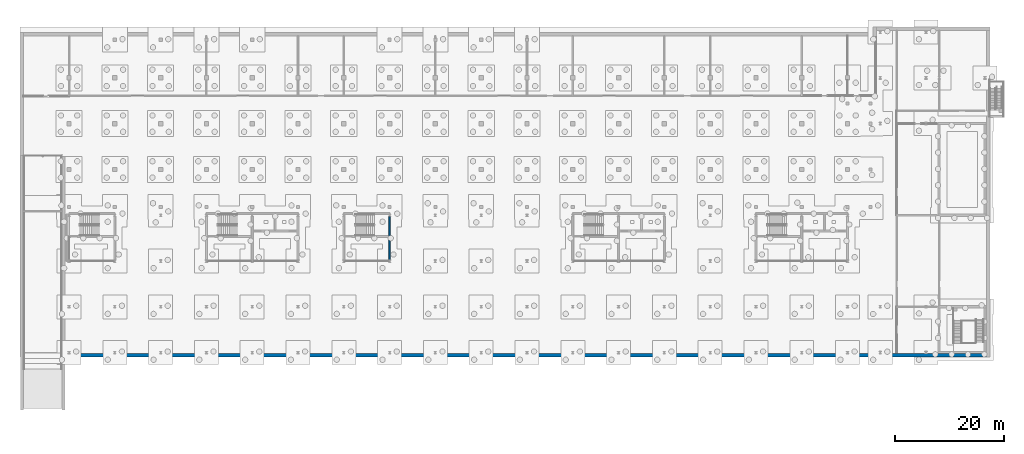
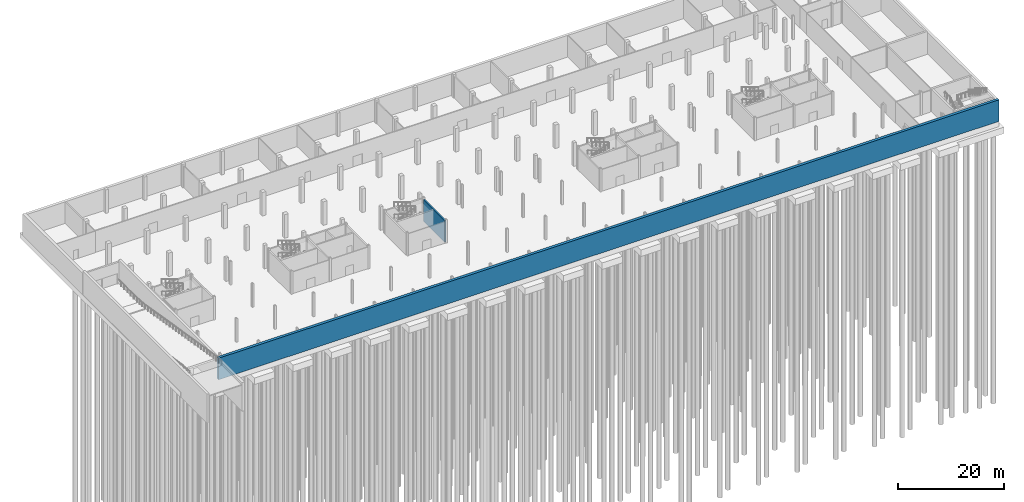
# One storey, part 15 of 29: 2 walls.
"""IFC4 building model written with IfcOpenShell, lengths in metres."""

from ifc_helpers import new_model, si_unit, direction, frame, frame_2d, origin, place, context, subcontext, project, spatial, rectangle, extrude, material, layer, layer_set, type_object, element, save


model = new_model("IFC4")

# Units and contexts
model_context = context("Model", 3, precision=1e-05, world=origin(), true_north=direction((0.0, 1.0)))
body_context = subcontext(model_context, "Body", "Model", "MODEL_VIEW")
ifc_project = project(units=[si_unit("LENGTHUNIT", "METRE"), si_unit("AREAUNIT", "SQUARE_METRE"), si_unit("VOLUMEUNIT", "CUBIC_METRE"), si_unit("PLANEANGLEUNIT", "RADIAN"), si_unit("MASSUNIT", "GRAM", prefix="KILO")], contexts=[model_context])

# Site, building, storey
site_placement = place(None, origin())
site = spatial("IfcSite", under=ifc_project, at=site_placement, CompositionType="ELEMENT")
building_placement = place(site_placement, origin())
building = spatial("IfcBuilding", under=site, at=building_placement, Name="Cresset Court Congress Hotel", CompositionType="ELEMENT")
storey_placement = place(building_placement, frame((0.0, 0.0, -5.39990234375)))
storey = spatial("IfcBuildingStorey", under=building, at=storey_placement, Name="B1", CompositionType="ELEMENT", Elevation=-5.39990234375)

# Walls
ifc_material_1 = material(Name="Concrete C40", Category="concrete")
ifc_layer_1 = layer(ifc_material_1, 0.60009765625)
ifc_layer_set_1 = layer_set([ifc_layer_1], Name="Basement wall 600")
wall_type_1 = type_object("IfcWallType", Name="Basement wall 600", PredefinedType="SOLIDWALL", material=ifc_layer_set_1)
wall_1_placement = place(storey_placement, frame((7.64990234375, -0.5, 0.0), z_axis=(0.0, 0.0, 1.0), x_axis=(1.0, 0.0, 0.0)))
element("IfcWall", 1, at=wall_1_placement, inside=storey, type_object=wall_type_1, Name="S.wall.B1.S", PredefinedType="SOLIDWALL", context=body_context, shape_type="SweptSolid", body=[
    extrude(rectangle(XDim=169.650146484375, YDim=0.60009765625, at=frame_2d((84.8251953125, 0.0))), origin(), (0.0, 0.0, 1.0), 4.949951171875),
])
ifc_material_2 = material(Name="Concrete C50", Category="concrete")
ifc_layer_2 = layer(ifc_material_2, 0.300048828125)
ifc_layer_set_2 = layer_set([ifc_layer_2], Name="Core wall 300 Concrete C50")
wall_type_2 = type_object("IfcWallType", Name="Core wall 300 Concrete C50", PredefinedType="SHEAR", material=ifc_layer_set_2)
wall_2_placement = place(storey_placement, frame((67.199951171875, 17.0, 0.0), z_axis=(0.0, 0.0, 1.0), x_axis=(0.0, 1.0, 0.0)))
element("IfcWall", 2, at=wall_2_placement, inside=storey, type_object=wall_type_2, Name="Core wall ST-B3", PredefinedType="SHEAR", context=body_context, shape_type="SweptSolid", body=[
    extrude(rectangle(XDim=8.0, YDim=0.300048828125, at=frame_2d((4.0, 0.0))), origin(), (0.0, 0.0, 1.0), 4.949951171875),
])

save(model, "model.ifc")
